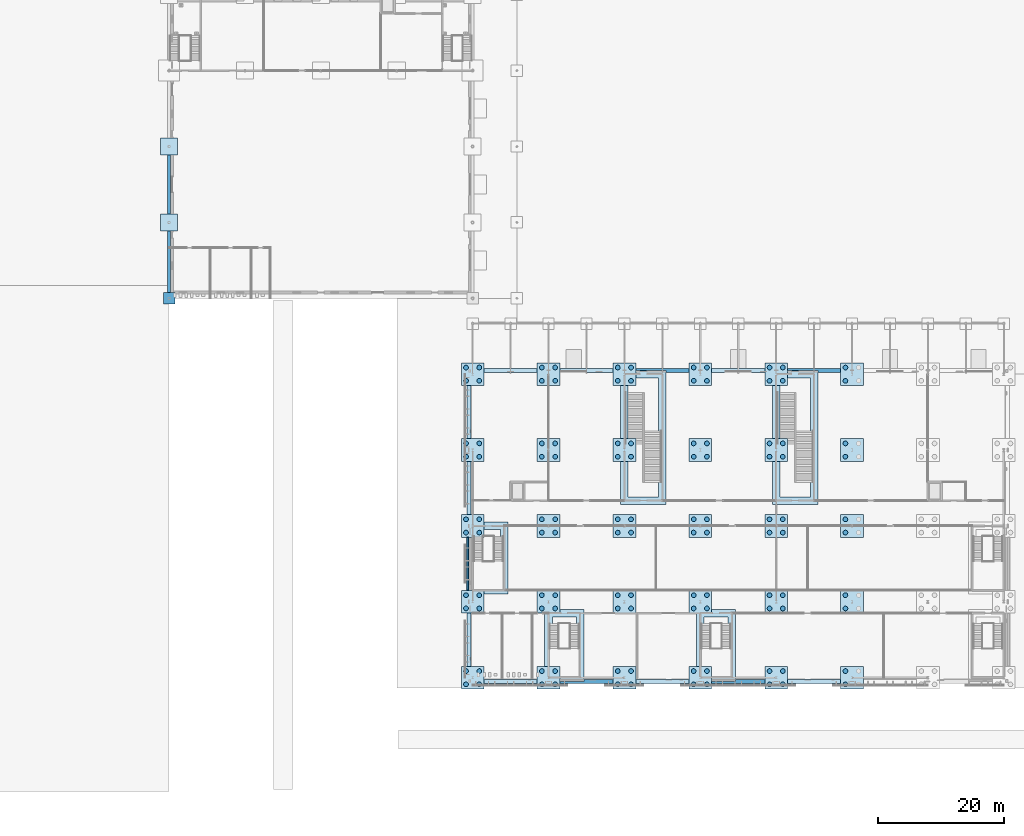
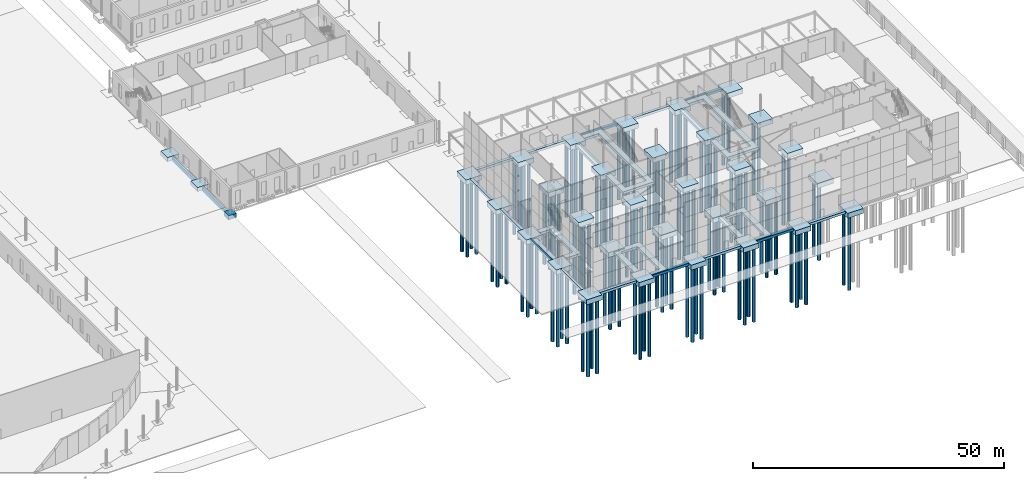
# One storey, part 2 of 132: 110 piles, 56 footings.
"""IFC4 building model written with IfcOpenShell, lengths in metres."""

from ifc_helpers import new_model, si_unit, direction, frame, origin, origin_2d, place, context, subcontext, project, spatial, polyline, rectangle, circle, outline, extrude, material, material_profile, profile_set, type_object, element, save


model = new_model("IFC4")

# Units and contexts
model_context = context("Model", 3, precision=1e-05, world=origin(), true_north=direction((0.0, 1.0)))
body_context = subcontext(model_context, "Body", "Model", "MODEL_VIEW")
ifc_project = project(units=[si_unit("LENGTHUNIT", "METRE"), si_unit("AREAUNIT", "SQUARE_METRE"), si_unit("VOLUMEUNIT", "CUBIC_METRE"), si_unit("PLANEANGLEUNIT", "RADIAN"), si_unit("MASSUNIT", "GRAM", prefix="KILO")], contexts=[model_context])

# Site, building, storey
site_placement = place(None, origin())
site = spatial("IfcSite", under=ifc_project, at=site_placement, CompositionType="ELEMENT")
building_placement = place(site_placement, origin())
building = spatial("IfcBuilding", under=site, at=building_placement, Name="Ravi Spectrum Wholesale Market", CompositionType="ELEMENT")
storey_placement = place(building_placement, origin())
storey = spatial("IfcBuildingStorey", under=building, at=storey_placement, Name="L00", CompositionType="ELEMENT", Elevation=0.0)

# Piles
ifc_material_1 = material(Name="Concrete C35/45", Category="concrete")
ifc_material_profile = material_profile(ifc_material_1, circle(Radius=0.375, at=origin_2d()))
ifc_profile_set = profile_set([ifc_material_profile], Name="Concrete C35/45")
pile_type = type_object("IfcPileType", Name="Bored pile D750", PredefinedType="BORED", material=ifc_profile_set)
for number, where, z_axis, x_axis, name in (
    (1, (196.949951171875, 16.949951171875, -1.10009765625), (0.0, 0.0, -1.0), (1.0, 0.0, 0.0), "CS-PL-L00-001"),
    (2, (199.050048828125, 16.949951171875, -1.10009765625), (0.0, 0.0, -1.0), (1.0, 0.0, 0.0), "CS-PL-L00-002"),
    (3, (199.050048828125, 19.050048828125, -1.10009765625), (0.0, 0.0, -1.0), (1.0, 0.0, 0.0), "CS-PL-L00-003"),
    (4, (196.949951171875, 19.050048828125, -1.10009765625), (0.0, 0.0, -1.0), (1.0, 0.0, 0.0), "CS-PL-L00-004"),
    (5, (196.949951171875, 28.949951171875, -1.10009765625), (0.0, 0.0, -1.0), (1.0, 0.0, 0.0), "CS-PL-L00-005"),
    (6, (199.050048828125, 28.949951171875, -1.10009765625), (0.0, 0.0, -1.0), (1.0, 0.0, 0.0), "CS-PL-L00-006"),
    (7, (199.050048828125, 31.050048828125, -1.10009765625), (0.0, 0.0, -1.0), (1.0, 0.0, 0.0), "CS-PL-L00-007"),
    (8, (196.949951171875, 31.050048828125, -1.10009765625), (0.0, 0.0, -1.0), (1.0, 0.0, 0.0), "CS-PL-L00-008"),
    (9, (196.949951171875, 40.949951171875, -1.10009765625), (0.0, 0.0, -1.0), (1.0, 0.0, 0.0), "CS-PL-L00-009"),
    (10, (199.050048828125, 40.949951171875, -1.10009765625), (0.0, 0.0, -1.0), (1.0, 0.0, 0.0), "CS-PL-L00-010"),
    (11, (199.050048828125, 43.050048828125, -1.10009765625), (0.0, 0.0, -1.0), (1.0, 0.0, 0.0), "CS-PL-L00-011"),
    (12, (196.949951171875, 43.050048828125, -1.10009765625), (0.0, 0.0, -1.0), (1.0, 0.0, 0.0), "CS-PL-L00-012"),
    (13, (196.949951171875, 52.949951171875, -1.10009765625), (0.0, 0.0, -1.0), (1.0, 0.0, 0.0), "CS-PL-L00-013"),
    (14, (199.050048828125, 52.949951171875, -1.10009765625), (0.0, 0.0, -1.0), (1.0, 0.0, 0.0), "CS-PL-L00-014"),
    (15, (199.050048828125, 55.050048828125, -1.10009765625), (0.0, 0.0, -1.0), (1.0, 0.0, 0.0), "CS-PL-L00-015"),
    (16, (196.949951171875, 55.050048828125, -1.10009765625), (0.0, 0.0, -1.0), (1.0, 0.0, 0.0), "CS-PL-L00-016"),
    (17, (196.949951171875, 64.949951171875, -1.10009765625), (0.0, 0.0, -1.0), (1.0, 0.0, 0.0), "CS-PL-L00-017"),
    (18, (199.050048828125, 64.949951171875, -1.10009765625), (0.0, 0.0, -1.0), (1.0, 0.0, 0.0), "CS-PL-L00-018"),
    (19, (199.050048828125, 67.050048828125, -1.10009765625), (0.0, 0.0, -1.0), (1.0, 0.0, 0.0), "CS-PL-L00-019"),
    (20, (196.949951171875, 67.050048828125, -1.10009765625), (0.0, 0.0, -1.0), (1.0, 0.0, 0.0), "CS-PL-L00-020"),
    (21, (208.949951171875, 16.949951171875, -1.10009765625), (0.0, 0.0, -1.0), (1.0, 0.0, 0.0), "CS-PL-L00-021"),
    (22, (211.050048828125, 16.949951171875, -1.10009765625), (0.0, 0.0, -1.0), (1.0, 0.0, 0.0), "CS-PL-L00-022"),
    (23, (211.050048828125, 19.050048828125, -1.10009765625), (0.0, 0.0, -1.0), (1.0, 0.0, 0.0), "CS-PL-L00-023"),
    (24, (208.949951171875, 19.050048828125, -1.10009765625), (0.0, 0.0, -1.0), (1.0, 0.0, 0.0), "CS-PL-L00-024"),
    (25, (208.949951171875, 28.949951171875, -1.10009765625), (0.0, 0.0, -1.0), (1.0, 0.0, 0.0), "CS-PL-L00-025"),
    (26, (211.050048828125, 28.949951171875, -1.10009765625), (0.0, 0.0, -1.0), (1.0, 0.0, 0.0), "CS-PL-L00-026"),
    (27, (211.050048828125, 31.050048828125, -1.10009765625), (0.0, 0.0, -1.0), (1.0, 0.0, 0.0), "CS-PL-L00-027"),
    (28, (208.949951171875, 31.050048828125, -1.10009765625), (0.0, 0.0, -1.0), (1.0, 0.0, 0.0), "CS-PL-L00-028"),
    (29, (208.949951171875, 40.949951171875, -1.10009765625), (0.0, 0.0, -1.0), (1.0, 0.0, 0.0), "CS-PL-L00-029"),
    (30, (211.050048828125, 40.949951171875, -1.10009765625), (0.0, 0.0, -1.0), (1.0, 0.0, 0.0), "CS-PL-L00-030"),
    (31, (211.050048828125, 43.050048828125, -1.10009765625), (0.0, 0.0, -1.0), (1.0, 0.0, 0.0), "CS-PL-L00-031"),
    (32, (208.949951171875, 43.050048828125, -1.10009765625), (0.0, 0.0, -1.0), (1.0, 0.0, 0.0), "CS-PL-L00-032"),
    (33, (208.949951171875, 52.949951171875, -1.10009765625), (0.0, 0.0, -1.0), (1.0, 0.0, 0.0), "CS-PL-L00-033"),
    (34, (211.050048828125, 52.949951171875, -1.10009765625), (0.0, 0.0, -1.0), (1.0, 0.0, 0.0), "CS-PL-L00-034"),
    (35, (211.050048828125, 55.050048828125, -1.10009765625), (0.0, 0.0, -1.0), (1.0, 0.0, 0.0), "CS-PL-L00-035"),
    (36, (208.949951171875, 55.050048828125, -1.10009765625), (0.0, 0.0, -1.0), (1.0, 0.0, 0.0), "CS-PL-L00-036"),
    (37, (208.949951171875, 64.949951171875, -1.10009765625), (0.0, 0.0, -1.0), (1.0, 0.0, 0.0), "CS-PL-L00-037"),
    (38, (211.050048828125, 64.949951171875, -1.10009765625), (0.0, 0.0, -1.0), (1.0, 0.0, 0.0), "CS-PL-L00-038"),
    (39, (211.050048828125, 67.050048828125, -1.10009765625), (0.0, 0.0, -1.0), (1.0, 0.0, 0.0), "CS-PL-L00-039"),
    (40, (208.949951171875, 67.050048828125, -1.10009765625), (0.0, 0.0, -1.0), (1.0, 0.0, 0.0), "CS-PL-L00-040"),
    (41, (220.949951171875, 16.949951171875, -1.10009765625), (0.0, 0.0, -1.0), (1.0, 0.0, 0.0), "CS-PL-L00-041"),
    (42, (223.050048828125, 16.949951171875, -1.10009765625), (0.0, 0.0, -1.0), (1.0, 0.0, 0.0), "CS-PL-L00-042"),
    (43, (223.050048828125, 19.050048828125, -1.10009765625), (0.0, 0.0, -1.0), (1.0, 0.0, 0.0), "CS-PL-L00-043"),
    (44, (220.949951171875, 19.050048828125, -1.10009765625), (0.0, 0.0, -1.0), (1.0, 0.0, 0.0), "CS-PL-L00-044"),
    (45, (220.949951171875, 28.949951171875, -1.10009765625), (0.0, 0.0, -1.0), (1.0, 0.0, 0.0), "CS-PL-L00-045"),
    (46, (223.050048828125, 28.949951171875, -1.10009765625), (0.0, 0.0, -1.0), (1.0, 0.0, 0.0), "CS-PL-L00-046"),
    (47, (223.050048828125, 31.050048828125, -1.10009765625), (0.0, 0.0, -1.0), (1.0, 0.0, 0.0), "CS-PL-L00-047"),
    (48, (220.949951171875, 31.050048828125, -1.10009765625), (0.0, 0.0, -1.0), (1.0, 0.0, 0.0), "CS-PL-L00-048"),
    (49, (220.949951171875, 40.949951171875, -1.10009765625), (0.0, 0.0, -1.0), (1.0, 0.0, 0.0), "CS-PL-L00-049"),
    (50, (223.050048828125, 40.949951171875, -1.10009765625), (0.0, 0.0, -1.0), (1.0, 0.0, 0.0), "CS-PL-L00-050"),
    (51, (223.050048828125, 43.050048828125, -1.10009765625), (0.0, 0.0, -1.0), (1.0, 0.0, 0.0), "CS-PL-L00-051"),
    (52, (220.949951171875, 43.050048828125, -1.10009765625), (0.0, 0.0, -1.0), (1.0, 0.0, 0.0), "CS-PL-L00-052"),
    (53, (220.949951171875, 52.949951171875, -1.10009765625), (0.0, 0.0, -1.0), (1.0, 0.0, 0.0), "CS-PL-L00-053"),
    (54, (223.050048828125, 52.949951171875, -1.10009765625), (0.0, 0.0, -1.0), (1.0, 0.0, 0.0), "CS-PL-L00-054"),
    (55, (223.050048828125, 55.050048828125, -1.10009765625), (0.0, 0.0, -1.0), (1.0, 0.0, 0.0), "CS-PL-L00-055"),
    (56, (220.949951171875, 55.050048828125, -1.10009765625), (0.0, 0.0, -1.0), (1.0, 0.0, 0.0), "CS-PL-L00-056"),
    (57, (220.949951171875, 64.949951171875, -1.10009765625), (0.0, 0.0, -1.0), (1.0, 0.0, 0.0), "CS-PL-L00-057"),
    (58, (223.050048828125, 64.949951171875, -1.10009765625), (0.0, 0.0, -1.0), (1.0, 0.0, 0.0), "CS-PL-L00-058"),
    (59, (223.050048828125, 67.050048828125, -1.10009765625), (0.0, 0.0, -1.0), (1.0, 0.0, 0.0), "CS-PL-L00-059"),
    (60, (220.949951171875, 67.050048828125, -1.10009765625), (0.0, 0.0, -1.0), (1.0, 0.0, 0.0), "CS-PL-L00-060"),
    (61, (232.949951171875, 16.949951171875, -1.10009765625), (0.0, 0.0, -1.0), (1.0, 0.0, 0.0), "CS-PL-L00-061"),
    (62, (235.050048828125, 16.949951171875, -1.10009765625), (0.0, 0.0, -1.0), (1.0, 0.0, 0.0), "CS-PL-L00-062"),
    (63, (235.050048828125, 19.050048828125, -1.10009765625), (0.0, 0.0, -1.0), (1.0, 0.0, 0.0), "CS-PL-L00-063"),
    (64, (232.949951171875, 19.050048828125, -1.10009765625), (0.0, 0.0, -1.0), (1.0, 0.0, 0.0), "CS-PL-L00-064"),
    (65, (232.949951171875, 28.949951171875, -1.10009765625), (0.0, 0.0, -1.0), (1.0, 0.0, 0.0), "CS-PL-L00-065"),
    (66, (235.050048828125, 28.949951171875, -1.10009765625), (0.0, 0.0, -1.0), (1.0, 0.0, 0.0), "CS-PL-L00-066"),
    (67, (235.050048828125, 31.050048828125, -1.10009765625), (0.0, 0.0, -1.0), (1.0, 0.0, 0.0), "CS-PL-L00-067"),
    (68, (232.949951171875, 31.050048828125, -1.10009765625), (0.0, 0.0, -1.0), (1.0, 0.0, 0.0), "CS-PL-L00-068"),
    (69, (232.949951171875, 40.949951171875, -1.10009765625), (0.0, 0.0, -1.0), (1.0, 0.0, 0.0), "CS-PL-L00-069"),
    (70, (235.050048828125, 40.949951171875, -1.10009765625), (0.0, 0.0, -1.0), (1.0, 0.0, 0.0), "CS-PL-L00-070"),
    (71, (235.050048828125, 43.050048828125, -1.10009765625), (0.0, 0.0, -1.0), (1.0, 0.0, 0.0), "CS-PL-L00-071"),
    (72, (232.949951171875, 43.050048828125, -1.10009765625), (0.0, 0.0, -1.0), (1.0, 0.0, 0.0), "CS-PL-L00-072"),
    (73, (232.949951171875, 52.949951171875, -1.10009765625), (0.0, 0.0, -1.0), (1.0, 0.0, 0.0), "CS-PL-L00-073"),
    (74, (235.050048828125, 52.949951171875, -1.10009765625), (0.0, 0.0, -1.0), (1.0, 0.0, 0.0), "CS-PL-L00-074"),
    (75, (235.050048828125, 55.050048828125, -1.10009765625), (0.0, 0.0, -1.0), (1.0, 0.0, 0.0), "CS-PL-L00-075"),
    (76, (232.949951171875, 55.050048828125, -1.10009765625), (0.0, 0.0, -1.0), (1.0, 0.0, 0.0), "CS-PL-L00-076"),
    (77, (232.949951171875, 64.949951171875, -1.10009765625), (0.0, 0.0, -1.0), (1.0, 0.0, 0.0), "CS-PL-L00-077"),
    (78, (235.050048828125, 64.949951171875, -1.10009765625), (0.0, 0.0, -1.0), (1.0, 0.0, 0.0), "CS-PL-L00-078"),
    (79, (235.050048828125, 67.050048828125, -1.10009765625), (0.0, 0.0, -1.0), (1.0, 0.0, 0.0), "CS-PL-L00-079"),
    (80, (232.949951171875, 67.050048828125, -1.10009765625), (0.0, 0.0, -1.0), (1.0, 0.0, 0.0), "CS-PL-L00-080"),
    (81, (244.949951171875, 16.949951171875, -1.10009765625), (0.0, 0.0, -1.0), (1.0, 0.0, 0.0), "CS-PL-L00-081"),
    (82, (247.050048828125, 16.949951171875, -1.10009765625), (0.0, 0.0, -1.0), (1.0, 0.0, 0.0), "CS-PL-L00-082"),
    (83, (247.050048828125, 19.050048828125, -1.10009765625), (0.0, 0.0, -1.0), (1.0, 0.0, 0.0), "CS-PL-L00-083"),
    (84, (244.949951171875, 19.050048828125, -1.10009765625), (0.0, 0.0, -1.0), (1.0, 0.0, 0.0), "CS-PL-L00-084"),
    (85, (244.949951171875, 28.949951171875, -1.10009765625), (0.0, 0.0, -1.0), (1.0, 0.0, 0.0), "CS-PL-L00-085"),
    (86, (247.050048828125, 28.949951171875, -1.10009765625), (0.0, 0.0, -1.0), (1.0, 0.0, 0.0), "CS-PL-L00-086"),
    (87, (247.050048828125, 31.050048828125, -1.10009765625), (0.0, 0.0, -1.0), (1.0, 0.0, 0.0), "CS-PL-L00-087"),
    (88, (244.949951171875, 31.050048828125, -1.10009765625), (0.0, 0.0, -1.0), (1.0, 0.0, 0.0), "CS-PL-L00-088"),
    (89, (244.949951171875, 40.949951171875, -1.10009765625), (0.0, 0.0, -1.0), (1.0, 0.0, 0.0), "CS-PL-L00-089"),
    (90, (247.050048828125, 40.949951171875, -1.10009765625), (0.0, 0.0, -1.0), (1.0, 0.0, 0.0), "CS-PL-L00-090"),
    (91, (247.050048828125, 43.050048828125, -1.10009765625), (0.0, 0.0, -1.0), (1.0, 0.0, 0.0), "CS-PL-L00-091"),
    (92, (244.949951171875, 43.050048828125, -1.10009765625), (0.0, 0.0, -1.0), (1.0, 0.0, 0.0), "CS-PL-L00-092"),
    (93, (244.949951171875, 52.949951171875, -1.10009765625), (0.0, 0.0, -1.0), (1.0, 0.0, 0.0), "CS-PL-L00-093"),
    (94, (247.050048828125, 52.949951171875, -1.10009765625), (0.0, 0.0, -1.0), (1.0, 0.0, 0.0), "CS-PL-L00-094"),
    (95, (247.050048828125, 55.050048828125, -1.10009765625), (0.0, 0.0, -1.0), (1.0, 0.0, 0.0), "CS-PL-L00-095"),
    (96, (244.949951171875, 55.050048828125, -1.10009765625), (0.0, 0.0, -1.0), (1.0, 0.0, 0.0), "CS-PL-L00-096"),
    (97, (244.949951171875, 64.949951171875, -1.10009765625), (0.0, 0.0, -1.0), (1.0, 0.0, 0.0), "CS-PL-L00-097"),
    (98, (247.050048828125, 64.949951171875, -1.10009765625), (0.0, 0.0, -1.0), (1.0, 0.0, 0.0), "CS-PL-L00-098"),
    (99, (247.050048828125, 67.050048828125, -1.10009765625), (0.0, 0.0, -1.0), (1.0, 0.0, 0.0), "CS-PL-L00-099"),
    (100, (244.949951171875, 67.050048828125, -1.10009765625), (0.0, 0.0, -1.0), (1.0, 0.0, 0.0), "CS-PL-L00-100"),
    (101, (256.949951171875, 16.949951171875, -1.10009765625), (0.0, 0.0, -1.0), (1.0, 0.0, 0.0), "CS-PL-L00-101"),
    (102, (256.949951171875, 19.050048828125, -1.10009765625), (0.0, 0.0, -1.0), (1.0, 0.0, 0.0), "CS-PL-L00-104"),
    (103, (256.949951171875, 28.949951171875, -1.10009765625), (0.0, 0.0, -1.0), (1.0, 0.0, 0.0), "CS-PL-L00-105"),
    (104, (256.949951171875, 31.050048828125, -1.10009765625), (0.0, 0.0, -1.0), (1.0, 0.0, 0.0), "CS-PL-L00-108"),
    (105, (256.949951171875, 40.949951171875, -1.10009765625), (0.0, 0.0, -1.0), (1.0, 0.0, 0.0), "CS-PL-L00-109"),
    (106, (256.949951171875, 43.050048828125, -1.10009765625), (0.0, 0.0, -1.0), (1.0, 0.0, 0.0), "CS-PL-L00-112"),
    (107, (256.949951171875, 52.949951171875, -1.10009765625), (0.0, 0.0, -1.0), (1.0, 0.0, 0.0), "CS-PL-L00-113"),
    (108, (256.949951171875, 55.050048828125, -1.10009765625), (0.0, 0.0, -1.0), (1.0, 0.0, 0.0), "CS-PL-L00-116"),
    (109, (256.949951171875, 64.949951171875, -1.10009765625), (0.0, 0.0, -1.0), (1.0, 0.0, 0.0), "CS-PL-L00-117"),
    (110, (256.949951171875, 67.050048828125, -1.10009765625), (0.0, 0.0, -1.0), (1.0, 0.0, 0.0), "CS-PL-L00-120"),
):
    element("IfcPile", number, at=place(storey_placement, frame(where, z_axis=z_axis, x_axis=x_axis)), inside=storey, type_object=pile_type, Name=name, PredefinedType="BORED", context=body_context, shape_type="SweptSolid", body=[
        extrude(circle(Radius=0.375, at=origin_2d()), origin(), (0.0, 0.0, 1.0), 18.10009765625),
    ])

# Footings
ifc_material_2 = material(Name="Concrete C35/45", Category="concrete")
footing_type_1 = type_object("IfcFootingType", Name="Facade plinth footing 650 x 600", PredefinedType="STRIP_FOOTING", material=ifc_material_2)
footing_1_placement = place(storey_placement, frame((0.0, 0.0, -0.60009765625)))
element("IfcFooting", 111, at=footing_1_placement, inside=storey, type_object=footing_type_1, Name="Facade plinth footing", PredefinedType="STRIP_FOOTING", context=body_context, shape_type="SweptSolid", body=[
    extrude(outline(polyline([(199.800048828125, 17.75), (208.199951171875, 17.75), (208.199951171875, 17.10009765625), (199.800048828125, 17.10009765625), (199.800048828125, 17.75)])), origin(), (0.0, 0.0, 1.0), 0.60009765625),
])
footing_2_placement = place(storey_placement, frame((0.0, 0.0, -0.60009765625)))
element("IfcFooting", 112, at=footing_2_placement, inside=storey, type_object=footing_type_1, Name="Facade plinth footing", PredefinedType="STRIP_FOOTING", context=body_context, shape_type="SweptSolid", body=[
    extrude(outline(polyline([(199.800048828125, 66.89990234375), (208.199951171875, 66.89990234375), (208.199951171875, 66.25), (199.800048828125, 66.25), (199.800048828125, 66.89990234375)])), origin(), (0.0, 0.0, 1.0), 0.60009765625),
])
footing_3_placement = place(storey_placement, frame((0.0, 0.0, -0.60009765625)))
element("IfcFooting", 113, at=footing_3_placement, inside=storey, type_object=footing_type_1, Name="Facade plinth footing", PredefinedType="STRIP_FOOTING", context=body_context, shape_type="SweptSolid", body=[
    extrude(outline(polyline([(239.60009765625, 17.75), (244.199951171875, 17.75), (244.199951171875, 17.10009765625), (235.800048828125, 17.10009765625), (235.800048828125, 17.39990234375), (239.60009765625, 17.39990234375), (239.60009765625, 17.75)])), origin(), (0.0, 0.0, 1.0), 0.60009765625),
])
footing_4_placement = place(storey_placement, frame((0.0, 0.0, -0.60009765625)))
element("IfcFooting", 114, at=footing_4_placement, inside=storey, type_object=footing_type_1, Name="Facade plinth footing", PredefinedType="STRIP_FOOTING", context=body_context, shape_type="SweptSolid", body=[
    extrude(outline(polyline([(244.199951171875, 66.89990234375), (244.199951171875, 66.25), (235.800048828125, 66.25), (235.800048828125, 66.89990234375), (244.199951171875, 66.89990234375)])), origin(), (0.0, 0.0, 1.0), 0.60009765625),
])
footing_5_placement = place(storey_placement, frame((0.0, 0.0, -0.60009765625)))
element("IfcFooting", 115, at=footing_5_placement, inside=storey, type_object=footing_type_1, Name="Facade plinth footing", PredefinedType="STRIP_FOOTING", context=body_context, shape_type="SweptSolid", body=[
    extrude(outline(polyline([(252.60009765625, 66.60009765625), (247.800048828125, 66.60009765625), (247.800048828125, 66.89990234375), (256.199951171875, 66.89990234375), (256.199951171875, 66.25), (252.60009765625, 66.25), (252.60009765625, 66.60009765625)])), origin(), (0.0, 0.0, 1.0), 0.60009765625),
])
footing_6_placement = place(storey_placement, frame((0.0, 0.0, -0.60009765625)))
element("IfcFooting", 116, at=footing_6_placement, inside=storey, type_object=footing_type_1, Name="Facade plinth footing", PredefinedType="STRIP_FOOTING", context=body_context, shape_type="SweptSolid", body=[
    extrude(outline(polyline([(256.199951171875, 17.10009765625), (247.800048828125, 17.10009765625), (247.800048828125, 17.75), (256.199951171875, 17.75), (256.199951171875, 17.10009765625)])), origin(), (0.0, 0.0, 1.0), 0.60009765625),
])
footing_7_placement = place(storey_placement, frame((0.0, 0.0, -0.60009765625)))
element("IfcFooting", 117, at=footing_7_placement, inside=storey, type_object=footing_type_1, Name="Facade plinth footing", PredefinedType="STRIP_FOOTING", context=body_context, shape_type="SweptSolid", body=[
    extrude(outline(polyline([(223.800048828125, 66.89990234375), (232.199951171875, 66.89990234375), (232.199951171875, 66.25), (228.60009765625, 66.25), (228.60009765625, 66.60009765625), (223.800048828125, 66.60009765625), (223.800048828125, 66.89990234375)])), origin(), (0.0, 0.0, 1.0), 0.60009765625),
])
footing_8_placement = place(storey_placement, frame((0.0, 0.0, -0.60009765625)))
element("IfcFooting", 118, at=footing_8_placement, inside=storey, type_object=footing_type_1, Name="Facade plinth footing", PredefinedType="STRIP_FOOTING", context=body_context, shape_type="SweptSolid", body=[
    extrude(outline(polyline([(223.800048828125, 17.75), (232.199951171875, 17.75), (232.199951171875, 17.10009765625), (223.800048828125, 17.10009765625), (223.800048828125, 17.75)])), origin(), (0.0, 0.0, 1.0), 0.60009765625),
])
footing_9_placement = place(storey_placement, frame((0.0, 0.0, -0.60009765625)))
element("IfcFooting", 119, at=footing_9_placement, inside=storey, type_object=footing_type_1, Name="Facade plinth footing", PredefinedType="STRIP_FOOTING", context=body_context, shape_type="SweptSolid", body=[
    extrude(outline(polyline([(220.199951171875, 66.89990234375), (220.199951171875, 66.25), (211.800048828125, 66.25), (211.800048828125, 66.89990234375), (220.199951171875, 66.89990234375)])), origin(), (0.0, 0.0, 1.0), 0.60009765625),
])
footing_10_placement = place(storey_placement, frame((0.0, 0.0, -0.60009765625)))
element("IfcFooting", 120, at=footing_10_placement, inside=storey, type_object=footing_type_1, Name="Facade plinth footing", PredefinedType="STRIP_FOOTING", context=body_context, shape_type="SweptSolid", body=[
    extrude(outline(polyline([(211.800048828125, 17.10009765625), (211.800048828125, 17.39990234375), (215.60009765625, 17.39990234375), (215.60009765625, 17.75), (220.199951171875, 17.75), (220.199951171875, 17.10009765625), (211.800048828125, 17.10009765625)])), origin(), (0.0, 0.0, 1.0), 0.60009765625),
])
footing_11_placement = place(storey_placement, frame((0.0, 0.0, -0.60009765625)))
element("IfcFooting", 121, at=footing_11_placement, inside=storey, type_object=footing_type_1, Name="Facade plinth footing", PredefinedType="STRIP_FOOTING", context=body_context, shape_type="SweptSolid", body=[
    extrude(outline(polyline([(197.75, 55.800048828125), (197.10009765625, 55.800048828125), (197.10009765625, 64.199951171875), (197.75, 64.199951171875), (197.75, 55.800048828125)])), origin(), (0.0, 0.0, 1.0), 0.60009765625),
])
footing_12_placement = place(storey_placement, frame((0.0, 0.0, -0.60009765625)))
element("IfcFooting", 122, at=footing_12_placement, inside=storey, type_object=footing_type_1, Name="Facade plinth footing", PredefinedType="STRIP_FOOTING", context=body_context, shape_type="SweptSolid", body=[
    extrude(outline(polyline([(197.10009765625, 43.800048828125), (197.10009765625, 52.199951171875), (197.75, 52.199951171875), (197.75, 43.800048828125), (197.10009765625, 43.800048828125)])), origin(), (0.0, 0.0, 1.0), 0.60009765625),
])
footing_13_placement = place(storey_placement, frame((0.0, 0.0, -0.60009765625)))
element("IfcFooting", 123, at=footing_13_placement, inside=storey, type_object=footing_type_1, Name="Facade plinth footing", PredefinedType="STRIP_FOOTING", context=body_context, shape_type="SweptSolid", body=[
    extrude(outline(polyline([(197.39990234375, 40.199951171875), (197.39990234375, 31.800048828125), (197.10009765625, 31.800048828125), (197.10009765625, 40.199951171875), (197.39990234375, 40.199951171875)])), origin(), (0.0, 0.0, 1.0), 0.60009765625),
])
footing_14_placement = place(storey_placement, frame((0.0, 0.0, -0.60009765625)))
element("IfcFooting", 124, at=footing_14_placement, inside=storey, type_object=footing_type_1, Name="Facade plinth footing", PredefinedType="STRIP_FOOTING", context=body_context, shape_type="SweptSolid", body=[
    extrude(outline(polyline([(197.75, 28.199951171875), (197.75, 19.800048828125), (197.10009765625, 19.800048828125), (197.10009765625, 28.199951171875), (197.75, 28.199951171875)])), origin(), (0.0, 0.0, 1.0), 0.60009765625),
])
ifc_material_3 = material(Name="Concrete C35/45", Category="concrete")
footing_type_2 = type_object("IfcFootingType", Name="Ground beam 450x900", PredefinedType="FOOTING_BEAM", material=ifc_material_3)
footing_15_placement = place(storey_placement, frame((0.0, 0.0, -1.199951171875)))
element("IfcFooting", 125, at=footing_15_placement, inside=storey, type_object=footing_type_2, Name="H2-GB-L00-001", PredefinedType="FOOTING_BEAM", context=body_context, shape_type="SweptSolid", body=[
    extrude(outline(polyline([(149.77490234375, 78.89990234375), (149.77490234375, 88.64990234375), (150.22509765625, 88.64990234375), (150.22509765625, 78.89990234375), (149.77490234375, 78.89990234375)])), origin(), (0.0, 0.0, 1.0), 0.89990234375),
])
footing_16_placement = place(storey_placement, frame((0.0, 0.0, -1.199951171875)))
element("IfcFooting", 126, at=footing_16_placement, inside=storey, type_object=footing_type_2, Name="H2-GB-L00-002", PredefinedType="FOOTING_BEAM", context=body_context, shape_type="SweptSolid", body=[
    extrude(outline(polyline([(149.77490234375, 91.35009765625), (149.77490234375, 100.64990234375), (150.22509765625, 100.64990234375), (150.22509765625, 91.35009765625), (149.77490234375, 91.35009765625)])), origin(), (0.0, 0.0, 1.0), 0.89990234375),
])
ifc_material_4 = material(Name="Concrete C35/45", Category="concrete")
footing_type_3 = type_object("IfcFootingType", Name="Pad footing 1800x1800x1000", PredefinedType="PAD_FOOTING", material=ifc_material_4)
footing_17_placement = place(storey_placement, frame((150.0, 78.0, -1.0), z_axis=(0.0, 0.0, 1.0), x_axis=(1.0, 0.0, 0.0)))
element("IfcFooting", 127, at=footing_17_placement, inside=storey, type_object=footing_type_3, Name="H2-PF-L00-001", PredefinedType="PAD_FOOTING", context=body_context, shape_type="SweptSolid", body=[
    extrude(rectangle(XDim=1.800048828125, YDim=1.800048828125, at=origin_2d()), origin(), (0.0, 0.0, 1.0), 1.0),
])
ifc_material_5 = material(Name="Concrete C35/45", Category="concrete")
footing_type_4 = type_object("IfcFootingType", Name="Pad footing 2700x2700x1000", PredefinedType="PAD_FOOTING", material=ifc_material_5)
for number, where, z_axis, x_axis, name in (
    (128, (150.0, 90.0, -1.0), (0.0, 0.0, 1.0), (1.0, 0.0, 0.0), "H2-PF-L00-002"),
    (129, (150.0, 102.0, -1.0), (0.0, 0.0, 1.0), (1.0, 0.0, 0.0), "H2-PF-L00-003"),
):
    element("IfcFooting", number, at=place(storey_placement, frame(where, z_axis=z_axis, x_axis=x_axis)), inside=storey, type_object=footing_type_4, Name=name, PredefinedType="PAD_FOOTING", context=body_context, shape_type="SweptSolid", body=[
        extrude(rectangle(XDim=2.699951171875, YDim=2.699951171875, at=origin_2d()), origin(), (0.0, 0.0, 1.0), 1.0),
    ])
ifc_material_6 = material(Name="Concrete C35/45", Category="concrete")
footing_type_5 = type_object("IfcFootingType", Name="Pile cap 4 piles 3600x3600x1200", PredefinedType="PILE_CAP", material=ifc_material_6)
for number, where, z_axis, x_axis, name in (
    (130, (198.0, 18.0, -1.2001953125), (0.0, 0.0, 1.0), (1.0, 0.0, 0.0), "CS-PC-L00-001"),
    (131, (198.0, 30.0, -1.2001953125), (0.0, 0.0, 1.0), (1.0, 0.0, 0.0), "CS-PC-L00-002"),
    (132, (198.0, 42.0, -1.2001953125), (0.0, 0.0, 1.0), (1.0, 0.0, 0.0), "CS-PC-L00-003"),
    (133, (198.0, 54.0, -1.2001953125), (0.0, 0.0, 1.0), (1.0, 0.0, 0.0), "CS-PC-L00-004"),
    (134, (198.0, 66.0, -1.2001953125), (0.0, 0.0, 1.0), (1.0, 0.0, 0.0), "CS-PC-L00-005"),
    (135, (210.0, 18.0, -1.2001953125), (0.0, 0.0, 1.0), (1.0, 0.0, 0.0), "CS-PC-L00-006"),
    (136, (210.0, 30.0, -1.2001953125), (0.0, 0.0, 1.0), (1.0, 0.0, 0.0), "CS-PC-L00-007"),
    (137, (210.0, 42.0, -1.2001953125), (0.0, 0.0, 1.0), (1.0, 0.0, 0.0), "CS-PC-L00-008"),
    (138, (210.0, 54.0, -1.2001953125), (0.0, 0.0, 1.0), (1.0, 0.0, 0.0), "CS-PC-L00-009"),
    (139, (210.0, 66.0, -1.2001953125), (0.0, 0.0, 1.0), (1.0, 0.0, 0.0), "CS-PC-L00-010"),
    (140, (222.0, 18.0, -1.2001953125), (0.0, 0.0, 1.0), (1.0, 0.0, 0.0), "CS-PC-L00-011"),
    (141, (222.0, 30.0, -1.2001953125), (0.0, 0.0, 1.0), (1.0, 0.0, 0.0), "CS-PC-L00-012"),
    (142, (222.0, 42.0, -1.2001953125), (0.0, 0.0, 1.0), (1.0, 0.0, 0.0), "CS-PC-L00-013"),
    (143, (222.0, 54.0, -1.2001953125), (0.0, 0.0, 1.0), (1.0, 0.0, 0.0), "CS-PC-L00-014"),
    (144, (222.0, 66.0, -1.2001953125), (0.0, 0.0, 1.0), (1.0, 0.0, 0.0), "CS-PC-L00-015"),
    (145, (234.0, 18.0, -1.2001953125), (0.0, 0.0, 1.0), (1.0, 0.0, 0.0), "CS-PC-L00-016"),
    (146, (234.0, 30.0, -1.2001953125), (0.0, 0.0, 1.0), (1.0, 0.0, 0.0), "CS-PC-L00-017"),
    (147, (234.0, 42.0, -1.2001953125), (0.0, 0.0, 1.0), (1.0, 0.0, 0.0), "CS-PC-L00-018"),
    (148, (234.0, 54.0, -1.2001953125), (0.0, 0.0, 1.0), (1.0, 0.0, 0.0), "CS-PC-L00-019"),
    (149, (234.0, 66.0, -1.2001953125), (0.0, 0.0, 1.0), (1.0, 0.0, 0.0), "CS-PC-L00-020"),
    (150, (246.0, 18.0, -1.2001953125), (0.0, 0.0, 1.0), (1.0, 0.0, 0.0), "CS-PC-L00-021"),
    (151, (246.0, 30.0, -1.2001953125), (0.0, 0.0, 1.0), (1.0, 0.0, 0.0), "CS-PC-L00-022"),
    (152, (246.0, 42.0, -1.2001953125), (0.0, 0.0, 1.0), (1.0, 0.0, 0.0), "CS-PC-L00-023"),
    (153, (246.0, 54.0, -1.2001953125), (0.0, 0.0, 1.0), (1.0, 0.0, 0.0), "CS-PC-L00-024"),
    (154, (246.0, 66.0, -1.2001953125), (0.0, 0.0, 1.0), (1.0, 0.0, 0.0), "CS-PC-L00-025"),
    (155, (258.0, 18.0, -1.2001953125), (0.0, 0.0, 1.0), (1.0, 0.0, 0.0), "CS-PC-L00-026"),
    (156, (258.0, 30.0, -1.2001953125), (0.0, 0.0, 1.0), (1.0, 0.0, 0.0), "CS-PC-L00-027"),
    (157, (258.0, 42.0, -1.2001953125), (0.0, 0.0, 1.0), (1.0, 0.0, 0.0), "CS-PC-L00-028"),
    (158, (258.0, 54.0, -1.2001953125), (0.0, 0.0, 1.0), (1.0, 0.0, 0.0), "CS-PC-L00-029"),
    (159, (258.0, 66.0, -1.2001953125), (0.0, 0.0, 1.0), (1.0, 0.0, 0.0), "CS-PC-L00-030"),
):
    element("IfcFooting", number, at=place(storey_placement, frame(where, z_axis=z_axis, x_axis=x_axis)), inside=storey, type_object=footing_type_5, Name=name, PredefinedType="PILE_CAP", context=body_context, shape_type="SweptSolid", body=[
        extrude(rectangle(XDim=3.60009765625, YDim=3.60009765625, at=origin_2d()), origin(), (0.0, 0.0, 1.0), 1.199951171875),
    ])
ifc_material_7 = material(Name="Concrete C35/45", Category="concrete")
footing_type_6 = type_object("IfcFootingType", Name="Strip footing 1200x600", PredefinedType="STRIP_FOOTING", material=ifc_material_7)
footing_18_placement = place(storey_placement, frame((0.0, 0.0, -0.89990234375)))
element("IfcFooting", 160, at=footing_18_placement, inside=storey, type_object=footing_type_6, Name="CS-SF-L00-001", PredefinedType="STRIP_FOOTING", context=body_context, shape_type="SweptSolid", body=[
    extrude(outline(polyline([(197.39990234375, 40.199951171875), (198.60009765625, 40.199951171875), (198.60009765625, 32.39990234375), (202.39990234375, 32.39990234375), (202.39990234375, 41.39990234375), (199.800048828125, 41.39990234375), (199.800048828125, 42.60009765625), (203.60009765625, 42.60009765625), (203.60009765625, 31.199951171875), (199.800048828125, 31.199951171875), (199.800048828125, 31.800048828125), (197.39990234375, 31.800048828125), (197.39990234375, 40.199951171875)])), origin(), (0.0, 0.0, 1.0), 0.599853515625),
])
footing_19_placement = place(storey_placement, frame((0.0, 0.0, -0.89990234375)))
element("IfcFooting", 161, at=footing_19_placement, inside=storey, type_object=footing_type_6, Name="CS-SF-L00-003", PredefinedType="STRIP_FOOTING", context=body_context, shape_type="SweptSolid", body=[
    extrude(outline(polyline([(221.39990234375, 52.199951171875), (222.60009765625, 52.199951171875), (222.60009765625, 46.60009765625), (227.39990234375, 46.60009765625), (227.39990234375, 65.39990234375), (223.800048828125, 65.39990234375), (223.800048828125, 66.60009765625), (228.60009765625, 66.60009765625), (228.60009765625, 45.39990234375), (221.39990234375, 45.39990234375), (221.39990234375, 52.199951171875)])), origin(), (0.0, 0.0, 1.0), 0.599853515625),
])
footing_20_placement = place(storey_placement, frame((0.0, 0.0, -0.89990234375)))
element("IfcFooting", 162, at=footing_20_placement, inside=storey, type_object=footing_type_6, Name="CS-SF-L00-004", PredefinedType="STRIP_FOOTING", context=body_context, shape_type="SweptSolid", body=[
    extrude(outline(polyline([(221.39990234375, 64.199951171875), (222.60009765625, 64.199951171875), (222.60009765625, 55.800048828125), (221.39990234375, 55.800048828125), (221.39990234375, 64.199951171875)])), origin(), (0.0, 0.0, 1.0), 0.599853515625),
])
footing_21_placement = place(storey_placement, frame((0.0, 0.0, -0.89990234375)))
element("IfcFooting", 163, at=footing_21_placement, inside=storey, type_object=footing_type_6, Name="CS-SF-L00-005", PredefinedType="STRIP_FOOTING", context=body_context, shape_type="SweptSolid", body=[
    extrude(outline(polyline([(233.39990234375, 28.199951171875), (235.800048828125, 28.199951171875), (235.800048828125, 28.800048828125), (239.60009765625, 28.800048828125), (239.60009765625, 17.39990234375), (235.800048828125, 17.39990234375), (235.800048828125, 18.60009765625), (238.39990234375, 18.60009765625), (238.39990234375, 27.60009765625), (234.60009765625, 27.60009765625), (234.60009765625, 19.800048828125), (233.39990234375, 19.800048828125), (233.39990234375, 28.199951171875)])), origin(), (0.0, 0.0, 1.0), 0.599853515625),
])
footing_22_placement = place(storey_placement, frame((0.0, 0.0, -0.89990234375)))
element("IfcFooting", 164, at=footing_22_placement, inside=storey, type_object=footing_type_6, Name="CS-SF-L00-006", PredefinedType="STRIP_FOOTING", context=body_context, shape_type="SweptSolid", body=[
    extrude(outline(polyline([(245.39990234375, 52.199951171875), (246.60009765625, 52.199951171875), (246.60009765625, 46.60009765625), (251.39990234375, 46.60009765625), (251.39990234375, 65.39990234375), (247.800048828125, 65.39990234375), (247.800048828125, 66.60009765625), (252.60009765625, 66.60009765625), (252.60009765625, 45.39990234375), (245.39990234375, 45.39990234375), (245.39990234375, 52.199951171875)])), origin(), (0.0, 0.0, 1.0), 0.599853515625),
])
footing_23_placement = place(storey_placement, frame((0.0, 0.0, -0.89990234375)))
element("IfcFooting", 165, at=footing_23_placement, inside=storey, type_object=footing_type_6, Name="CS-SF-L00-007", PredefinedType="STRIP_FOOTING", context=body_context, shape_type="SweptSolid", body=[
    extrude(outline(polyline([(245.39990234375, 64.199951171875), (246.60009765625, 64.199951171875), (246.60009765625, 55.800048828125), (245.39990234375, 55.800048828125), (245.39990234375, 64.199951171875)])), origin(), (0.0, 0.0, 1.0), 0.599853515625),
])
footing_24_placement = place(storey_placement, frame((0.0, 0.0, -0.89990234375)))
element("IfcFooting", 166, at=footing_24_placement, inside=storey, type_object=footing_type_6, Name="CS-SF-L00-008", PredefinedType="STRIP_FOOTING", context=body_context, shape_type="SweptSolid", body=[
    extrude(outline(polyline([(209.39990234375, 28.199951171875), (211.800048828125, 28.199951171875), (211.800048828125, 28.800048828125), (215.60009765625, 28.800048828125), (215.60009765625, 17.39990234375), (211.800048828125, 17.39990234375), (211.800048828125, 18.60009765625), (214.39990234375, 18.60009765625), (214.39990234375, 27.60009765625), (210.60009765625, 27.60009765625), (210.60009765625, 19.800048828125), (209.39990234375, 19.800048828125), (209.39990234375, 28.199951171875)])), origin(), (0.0, 0.0, 1.0), 0.599853515625),
])

save(model, "model.ifc")
